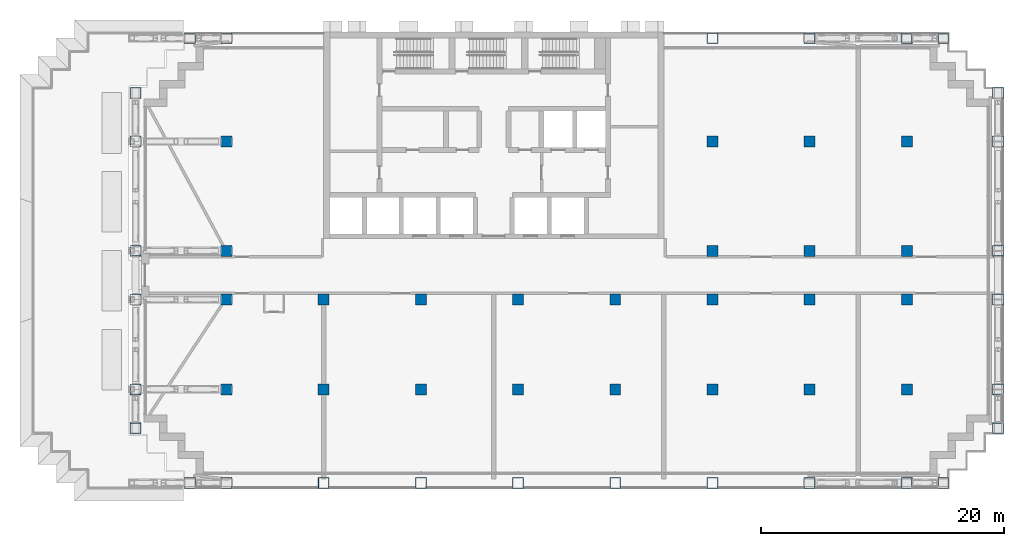
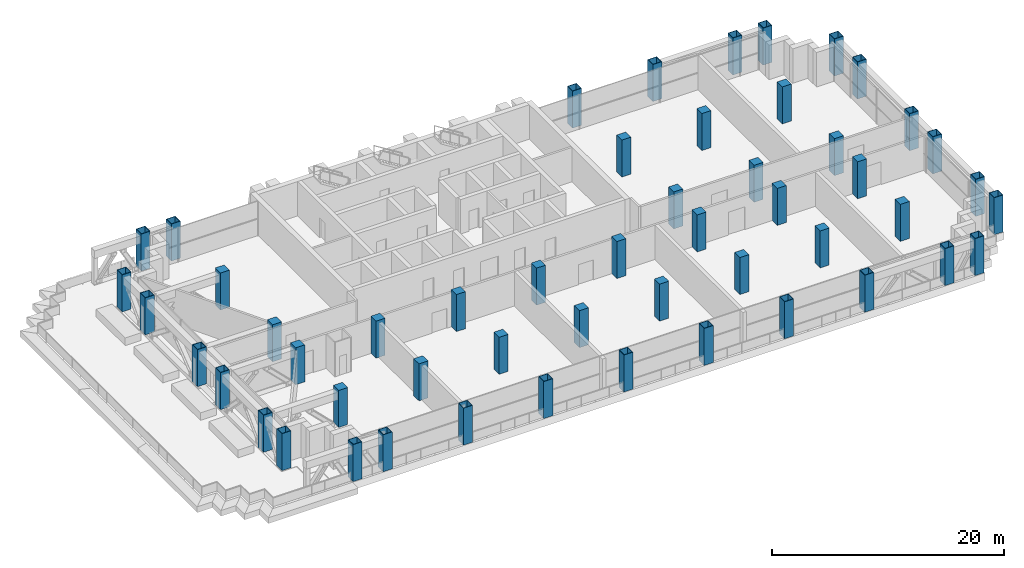
# One storey, part 1 of 19: 52 columns.
"""IFC4 building model written with IfcOpenShell, lengths in metres."""

from ifc_helpers import new_model, si_unit, direction, frame, origin, origin_2d, place, context, subcontext, project, spatial, rectangle, hollow_rectangle, extrude, material, material_profile, profile_set, type_object, element, save


model = new_model("IFC4")

# Units and contexts
model_context = context("Model", 3, precision=1e-05, world=origin(), true_north=direction((0.0, 1.0)))
body_context = subcontext(model_context, "Body", "Model", "MODEL_VIEW")
ifc_project = project(units=[si_unit("LENGTHUNIT", "METRE"), si_unit("AREAUNIT", "SQUARE_METRE"), si_unit("VOLUMEUNIT", "CUBIC_METRE"), si_unit("PLANEANGLEUNIT", "RADIAN"), si_unit("MASSUNIT", "GRAM", prefix="KILO")], contexts=[model_context])

# Site, building, storey
site_placement = place(None, origin())
site = spatial("IfcSite", under=ifc_project, at=site_placement, CompositionType="ELEMENT")
building_placement = place(site_placement, origin())
building = spatial("IfcBuilding", under=site, at=building_placement, Name="Vidyagriha Tower", CompositionType="ELEMENT")
storey_placement = place(building_placement, frame((0.0, 0.0, 73.60009765625)))
storey = spatial("IfcBuildingStorey", under=building, at=storey_placement, Name="L18", CompositionType="ELEMENT", Elevation=73.60009765625)

# Columns
ifc_material_1 = material(Name="Steel ASTM A572 Grade 50", Category="steel")
ifc_material_profile_1 = material_profile(ifc_material_1, hollow_rectangle(XDim=0.89990234375, YDim=0.89990234375, WallThickness=0.044921875, at=origin_2d()), Name="BOX 900x900x45")
ifc_profile_set_1 = profile_set([ifc_material_profile_1], Name="Steel ASTM A572 Grade 50")
column_type_1 = type_object("IfcColumnType", Name="Exoskeleton column BOX 900x900x45", PredefinedType="COLUMN", material=ifc_profile_set_1)
for number, where, name in (
    (1, (-25.0, -17.10009765625, 0.0), "st-col-L18-B2-001"),
    (2, (-22.0, -17.10009765625, 0.0), "st-col-L18-B2-002"),
    (3, (-14.0, -17.10009765625, 0.0), "st-col-L18-B2-003"),
    (4, (-6.0, -17.10009765625, 0.0), "st-col-L18-B2-004"),
    (5, (2.0, -17.10009765625, 0.0), "st-col-L18-B2-005"),
    (6, (10.0, -17.10009765625, 0.0), "st-col-L18-B2-006"),
    (7, (18.0, -17.10009765625, 0.0), "st-col-L18-B2-007"),
    (8, (26.0, -17.10009765625, 0.0), "st-col-L18-B2-008"),
    (9, (34.0, -17.10009765625, 0.0), "st-col-L18-B2-009"),
    (10, (37.0, -17.10009765625, 0.0), "st-col-L18-B2-010"),
    (11, (-29.5, -12.60009765625, 0.0), "st-col-L18-B2-011"),
    (12, (41.5, -12.60009765625, 0.0), "st-col-L18-B2-012"),
    (13, (-29.5, -9.39990234375, 0.0), "st-col-L18-B2-013"),
    (14, (41.5, -9.39990234375, 0.0), "st-col-L18-B2-022"),
    (15, (-29.5, -2.0, 0.0), "st-col-L18-B2-023"),
    (16, (41.5, -2.0, 0.0), "st-col-L18-B2-032"),
    (17, (-29.5, 2.0, 0.0), "st-col-L18-B2-033"),
    (18, (41.5, 2.0, 0.0), "st-col-L18-B2-038"),
    (19, (-29.5, 11.0, 0.0), "st-col-L18-B2-039"),
    (20, (41.5, 11.0, 0.0), "st-col-L18-B2-044"),
    (21, (-29.5, 15.0, 0.0), "st-col-L18-B2-045"),
    (22, (41.5, 15.0, 0.0), "st-col-L18-B2-046"),
    (23, (-25.0, 19.5, 0.0), "st-col-L18-B2-047"),
    (24, (-22.0, 19.5, 0.0), "st-col-L18-B2-048"),
    (25, (18.0, 19.5, 0.0), "st-col-L18-B2-049"),
    (26, (26.0, 19.5, 0.0), "st-col-L18-B2-050"),
    (27, (34.0, 19.5, 0.0), "st-col-L18-B2-051"),
    (28, (37.0, 19.5, 0.0), "st-col-L18-B2-052"),
):
    element("IfcColumn", number, at=place(storey_placement, frame(where)), inside=storey, type_object=column_type_1, Name=name, PredefinedType="COLUMN", context=body_context, shape_type="SweptSolid", body=[
        extrude(hollow_rectangle(XDim=0.89990234375, YDim=0.89990234375, WallThickness=0.044921875, at=origin_2d()), origin(), (0.0, 0.0, 1.0), 3.89990234375),
    ])
ifc_material_2 = material(Name="Concrete C80/95", Category="concrete")
ifc_material_profile_2 = material_profile(ifc_material_2, rectangle(XDim=0.89990234375, YDim=0.89990234375, at=origin_2d()), Name="RC 900x900")
ifc_profile_set_2 = profile_set([ifc_material_profile_2], Name="Concrete C80/95")
column_type_2 = type_object("IfcColumnType", Name="Frame column RC 900x900", PredefinedType="COLUMN", material=ifc_profile_set_2)
for number, where, name in (
    (29, (-22.0, -9.39990234375, 0.0), "st-col-L18-B2-014"),
    (30, (-14.0, -9.39990234375, 0.0), "st-col-L18-B2-015"),
    (31, (-6.0, -9.39990234375, 0.0), "st-col-L18-B2-016"),
    (32, (2.0, -9.39990234375, 0.0), "st-col-L18-B2-017"),
    (33, (10.0, -9.39990234375, 0.0), "st-col-L18-B2-018"),
    (34, (18.0, -9.39990234375, 0.0), "st-col-L18-B2-019"),
    (35, (26.0, -9.39990234375, 0.0), "st-col-L18-B2-020"),
    (36, (34.0, -9.39990234375, 0.0), "st-col-L18-B2-021"),
    (37, (-22.0, -2.0, 0.0), "st-col-L18-B2-024"),
    (38, (-14.0, -2.0, 0.0), "st-col-L18-B2-025"),
    (39, (-6.0, -2.0, 0.0), "st-col-L18-B2-026"),
    (40, (2.0, -2.0, 0.0), "st-col-L18-B2-027"),
    (41, (10.0, -2.0, 0.0), "st-col-L18-B2-028"),
    (42, (18.0, -2.0, 0.0), "st-col-L18-B2-029"),
    (43, (26.0, -2.0, 0.0), "st-col-L18-B2-030"),
    (44, (34.0, -2.0, 0.0), "st-col-L18-B2-031"),
    (45, (-22.0, 2.0, 0.0), "st-col-L18-B2-034"),
    (46, (18.0, 2.0, 0.0), "st-col-L18-B2-035"),
    (47, (26.0, 2.0, 0.0), "st-col-L18-B2-036"),
    (48, (34.0, 2.0, 0.0), "st-col-L18-B2-037"),
    (49, (-22.0, 11.0, 0.0), "st-col-L18-B2-040"),
    (50, (18.0, 11.0, 0.0), "st-col-L18-B2-041"),
    (51, (26.0, 11.0, 0.0), "st-col-L18-B2-042"),
    (52, (34.0, 11.0, 0.0), "st-col-L18-B2-043"),
):
    element("IfcColumn", number, at=place(storey_placement, frame(where)), inside=storey, type_object=column_type_2, Name=name, PredefinedType="COLUMN", context=body_context, shape_type="SweptSolid", body=[
        extrude(rectangle(XDim=0.89990234375, YDim=0.89990234375, at=origin_2d()), origin(), (0.0, 0.0, 1.0), 3.89990234375),
    ])

save(model, "model.ifc")
